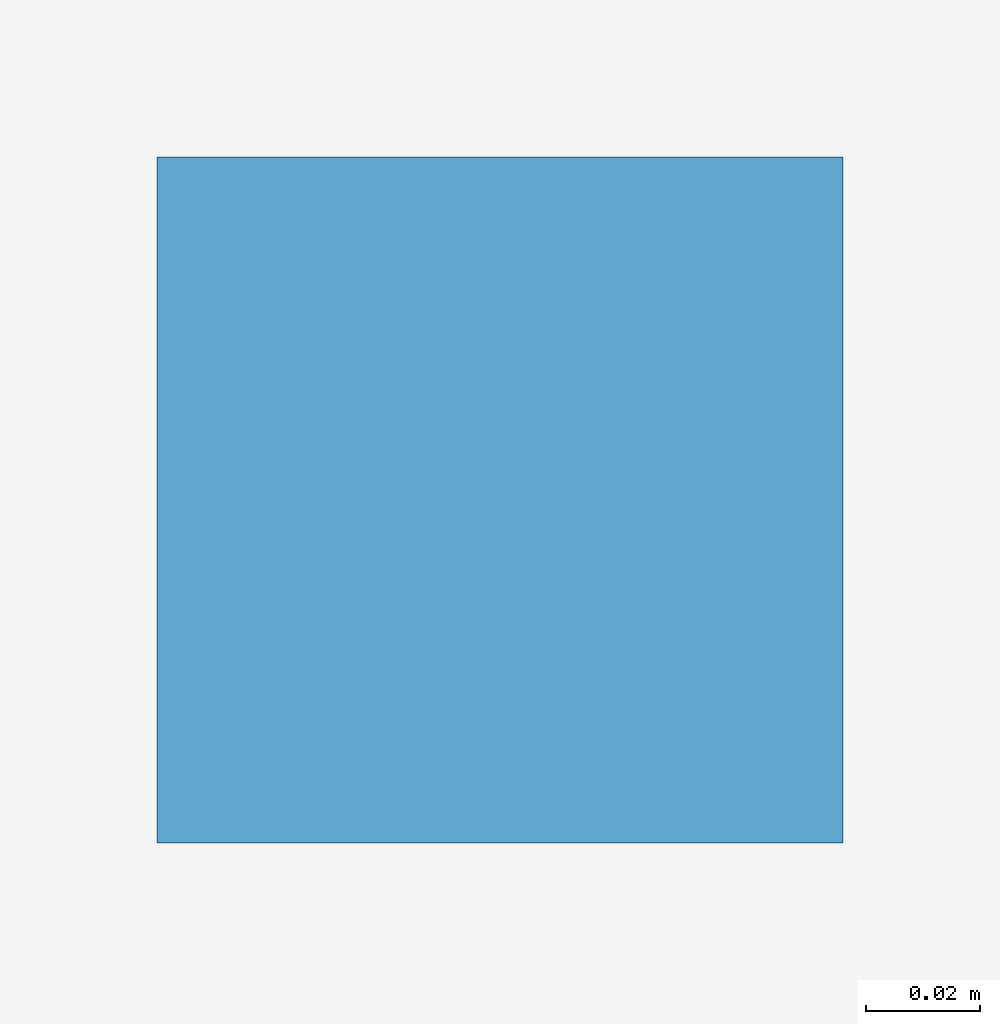
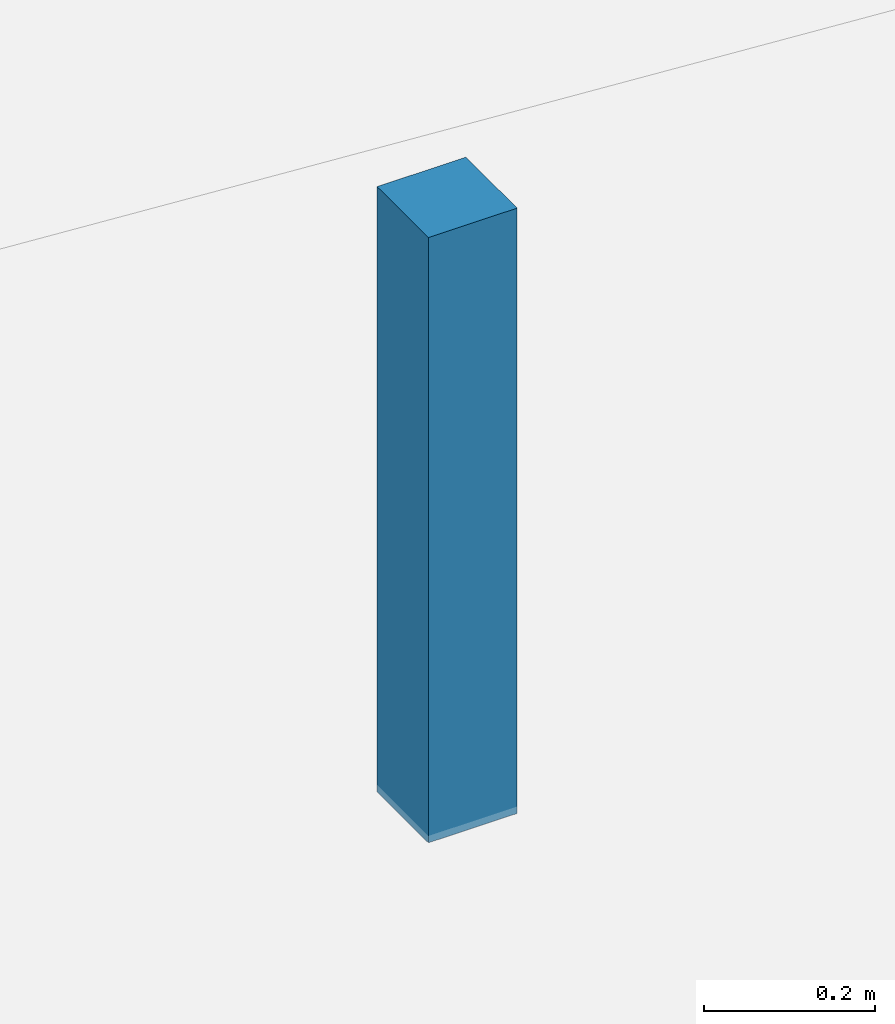
# One storey, part 103 of 113: 1 discrete accessory.
"""IFC4 building model written with IfcOpenShell, lengths in metres."""

from ifc_helpers import new_model, si_unit, direction, frame, origin, origin_2d, place, context, subcontext, project, spatial, rectangle, extrude, material, type_object, element, save


model = new_model("IFC4")

# Units and contexts
model_context = context("Model", 3, precision=1e-05, world=origin(), true_north=direction((0.0, 1.0)))
body_context = subcontext(model_context, "Body", "Model", "MODEL_VIEW")
ifc_project = project(units=[si_unit("LENGTHUNIT", "METRE"), si_unit("AREAUNIT", "SQUARE_METRE"), si_unit("VOLUMEUNIT", "CUBIC_METRE"), si_unit("PLANEANGLEUNIT", "RADIAN"), si_unit("MASSUNIT", "GRAM", prefix="KILO")], contexts=[model_context])

# Site, building, storey
site_placement = place(None, origin())
site = spatial("IfcSite", under=ifc_project, at=site_placement, CompositionType="ELEMENT")
building_placement = place(site_placement, origin())
building = spatial("IfcBuilding", under=site, at=building_placement, Name="Wrenclough Park School", CompositionType="ELEMENT")
storey_placement = place(building_placement, origin())
storey = spatial("IfcBuildingStorey", under=building, at=storey_placement, Name="L00", CompositionType="ELEMENT", Elevation=0.0)

# Discrete accessory
ifc_material = material(Name="Galvanised steel acoustic ceiling suspension hanger", Category="steel")
discrete_accessory_type = type_object("IfcDiscreteAccessoryType", Name="INT-BRK-HGR", PredefinedType="BRACKET", material=ifc_material)
discrete_accessory_placement = place(storey_placement, frame((90.76416015625, 101.923095703125, 3.08984375), z_axis=(0.0, 0.0, 1.0), x_axis=(1.0, 0.0, 0.0)))
element("IfcDiscreteAccessory", 1, at=discrete_accessory_placement, inside=storey, type_object=discrete_accessory_type, Name="Acoustic ceiling hanger bracket 0011", PredefinedType="BRACKET", context=body_context, shape_type="SweptSolid", body=[
    extrude(rectangle(XDim=0.1201171875, YDim=0.1201171875, at=origin_2d()), origin(), (0.0, 0.0, 1.0), 0.864990234375),
])

save(model, "model.ifc")
